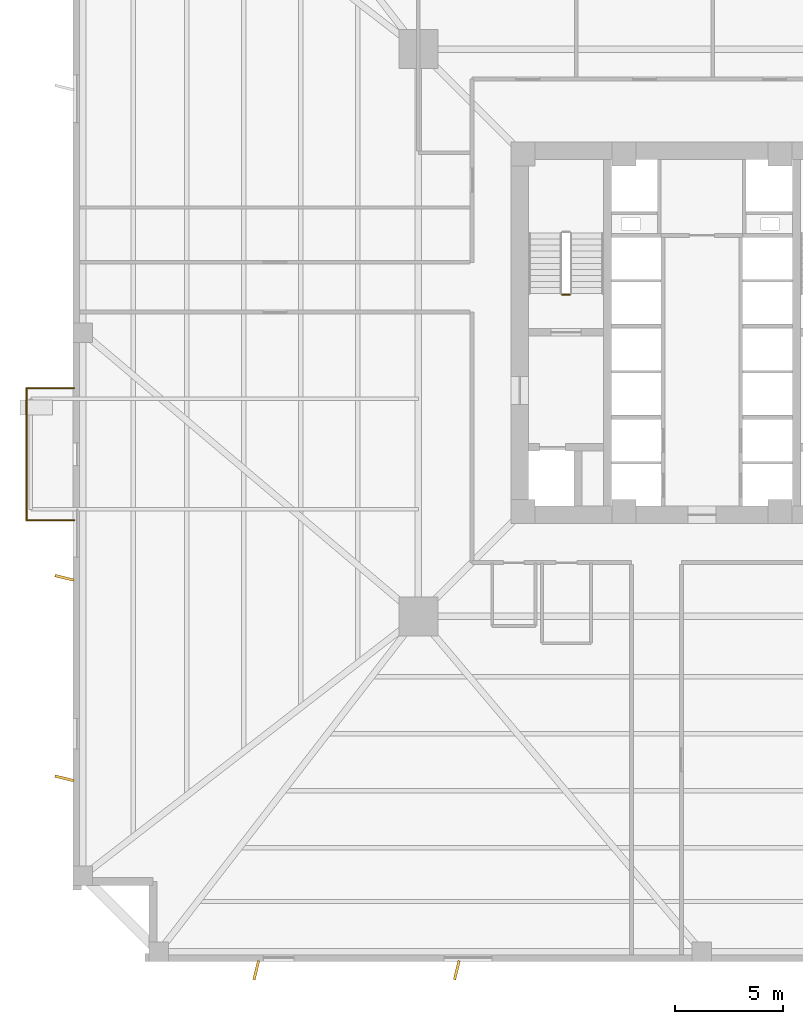
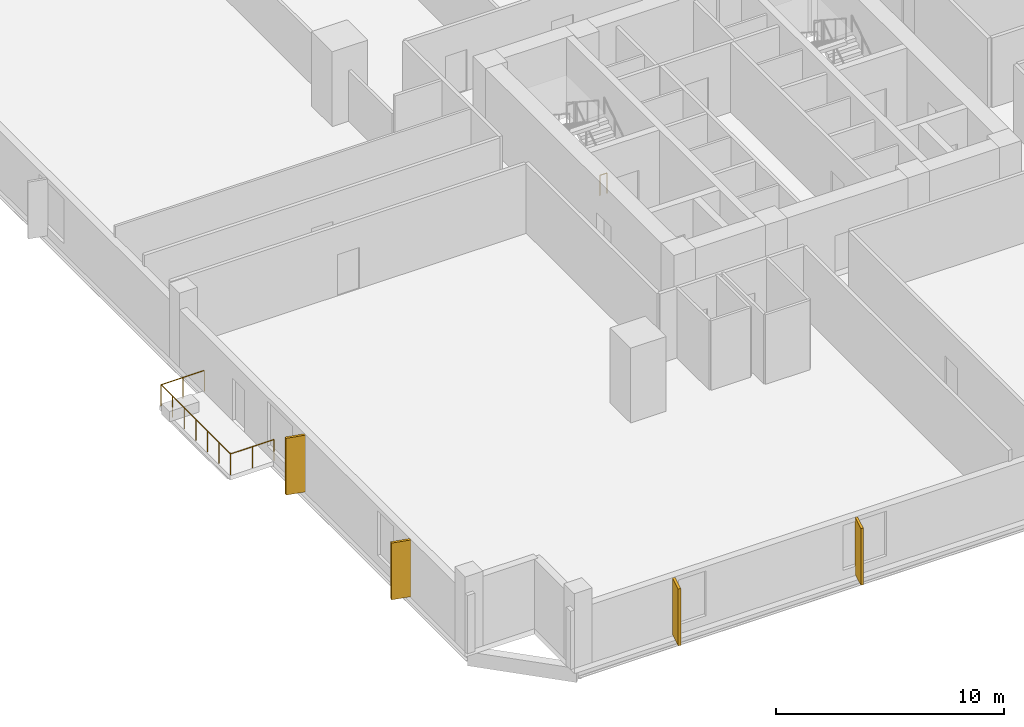
# One storey, part 5 of 8: 4 coverings, 4 railings.
"""IFC4 building model written with IfcOpenShell, lengths in metres."""

import ifcopenshell
import ifcopenshell.guid

model = None  # the IFC model being written
_history = None  # IfcOwnerHistory: only IFC2X3 demands one
_inside = {}  # id of a spatial element -> (the spatial element, [elements in it])
_under = {}  # id of a project, library or spatial element -> (it, [spatial elements below it])
_declared = {}  # id of a project -> (the project, [libraries it declares])
_typed = {}  # id of a type object -> (the type object, [elements of that type])
_made_of = {}  # id of a material, layer set ... -> (it, [elements and type objects made of it])


def new_model(schema):
    """Start an empty IFC model of exactly this schema.

    Asked for "IFC4X3", IfcOpenShell would pick the latest addendum, in which some entities
    have other attributes; the version numbers below select the first issue.
    IFC2X3 requires an IfcOwnerHistory on every rooted entity: one is made here for all.
    """
    global model, _history
    if schema == "IFC4X3":
        model = ifcopenshell.file(schema_version=(4, 3, 0, 0))
    else:
        model = ifcopenshell.file(schema=schema)
    _inside.clear()
    _under.clear()
    _declared.clear()
    _typed.clear()
    _made_of.clear()
    _history = None
    if model.schema == "IFC2X3":
        org = make("IfcOrganization", Name="unknown")
        user = make(
            "IfcPersonAndOrganization",
            ThePerson=make("IfcPerson", FamilyName="unknown"),
            TheOrganization=org,
        )
        app = make(
            "IfcApplication",
            ApplicationDeveloper=org,
            Version="unknown",
            ApplicationFullName="unknown",
            ApplicationIdentifier="unknown",
        )
        _history = make(
            "IfcOwnerHistory",
            OwningUser=user,
            OwningApplication=app,
            ChangeAction="ADDED",
            CreationDate=0,
        )
    return model


def make(cls, **values):
    """One entity of the class cls with the attributes given. An attribute that is None is left unset."""
    return model.create_entity(
        cls, **{name: value for name, value in values.items() if value is not None}
    )


def rooted(cls, **values):
    """An entity with a GlobalId (a new one), such as an element, a storey or a relation."""
    return make(cls, GlobalId=ifcopenshell.guid.new(), OwnerHistory=_history, **values)


def si_unit(unit_type, name, prefix=None):
    """IfcSIUnit, for example si_unit("LENGTHUNIT", "METRE", prefix="MILLI")."""
    return make("IfcSIUnit", UnitType=unit_type, Prefix=prefix, Name=name)


def assignment(units):
    """IfcUnitAssignment: the units of a project."""
    return None if units is None else make("IfcUnitAssignment", Units=units)


def point(xyz):
    """IfcCartesianPoint."""
    return None if xyz is None else make("IfcCartesianPoint", Coordinates=xyz)


def direction(xyz):
    """IfcDirection."""
    return None if xyz is None else make("IfcDirection", DirectionRatios=xyz)


def frame(location, z_axis=None, x_axis=None):
    """IfcAxis2Placement3D, a coordinate frame: its origin and axes. An axis left out is left unset."""
    return make(
        "IfcAxis2Placement3D",
        Location=point(location),
        Axis=direction(z_axis),
        RefDirection=direction(x_axis),
    )


def frame_2d(location, x_axis=None):
    """IfcAxis2Placement2D, a coordinate frame in the plane: its origin and x axis."""
    return make(
        "IfcAxis2Placement2D", Location=point(location), RefDirection=direction(x_axis)
    )


def origin():
    """The frame at (0, 0, 0) with its axes left unset."""
    return frame((0.0, 0.0, 0.0))


def origin_2d():
    """The frame at (0, 0) in the plane with its x axis left unset."""
    return frame_2d((0.0, 0.0))


def place(relative_to, where):
    """IfcLocalPlacement: puts the frame where relative to a parent placement (None: the world)."""
    return make(
        "IfcLocalPlacement", PlacementRelTo=relative_to, RelativePlacement=where
    )


def context(
    kind, dimensions, precision=None, world=None, true_north=None, identifier=None
):
    """IfcGeometricRepresentationContext, for example the 3D "Model" context."""
    return make(
        "IfcGeometricRepresentationContext",
        ContextIdentifier=identifier,
        ContextType=kind,
        CoordinateSpaceDimension=dimensions,
        Precision=precision,
        WorldCoordinateSystem=world,
        TrueNorth=true_north,
    )


def subcontext(parent, identifier, kind, view, scale=None):
    """IfcGeometricRepresentationSubContext, for example "Body" below "Model"."""
    return make(
        "IfcGeometricRepresentationSubContext",
        ContextIdentifier=identifier,
        ContextType=kind,
        ParentContext=parent,
        TargetScale=scale,
        TargetView=view,
    )


def project(units=None, contexts=None):
    """IfcProject with its units and contexts."""
    return rooted(
        "IfcProject",
        Name="project",
        RepresentationContexts=contexts,
        UnitsInContext=assignment(units),
    )


def spatial(cls, under=None, at=None, **own):
    """A site, building, storey or space (cls), placed at a placement, below another one or the project."""
    s = rooted(cls, ObjectPlacement=at, **own)
    if under is not None:
        _under.setdefault(under.id(), (under, []))[1].append(s)
    return s


def profile(cls, at=None, kind="AREA", **sizes):
    """A parametric profile (cls). Its sizes go by their IFC names, for example OverallWidth=200.0."""
    return make(cls, ProfileType=kind, Position=at, **sizes)


def rectangle(**sizes):
    """IfcRectangleProfileDef."""
    return profile("IfcRectangleProfileDef", **sizes)


def circle(**sizes):
    """IfcCircleProfileDef."""
    return profile("IfcCircleProfileDef", **sizes)


def extrude(swept, where, along, depth):
    """IfcExtrudedAreaSolid: the profile swept, set in the frame where, extruded along a direction by depth."""
    return make(
        "IfcExtrudedAreaSolid",
        SweptArea=swept,
        Position=where,
        ExtrudedDirection=direction(along),
        Depth=depth,
    )


def shape(context_of_items, identifier, shape_type, items):
    """IfcShapeRepresentation: the items that make up one representation, for example the "Body"."""
    return make(
        "IfcShapeRepresentation",
        ContextOfItems=context_of_items,
        RepresentationIdentifier=identifier,
        RepresentationType=shape_type,
        Items=items,
    )


def source(mapping_origin, context_of_items, identifier, shape_type, items):
    """IfcRepresentationMap: a shape defined once, which mapped items show again and again."""
    return make(
        "IfcRepresentationMap",
        MappingOrigin=mapping_origin,
        MappedRepresentation=shape(context_of_items, identifier, shape_type, items),
    )


def transform(
    local_origin,
    x_axis=None,
    y_axis=None,
    z_axis=None,
    scale=None,
    scale2=None,
    scale3=None,
    uniform=True,
):
    """IfcCartesianTransformationOperator3D, or its non-uniform kind. x_axis, y_axis, z_axis: its Axis1, 2, 3."""
    if uniform:
        return make(
            "IfcCartesianTransformationOperator3D",
            Axis1=direction(x_axis),
            Axis2=direction(y_axis),
            LocalOrigin=point(local_origin),
            Scale=scale,
            Axis3=direction(z_axis),
        )
    return make(
        "IfcCartesianTransformationOperator3DnonUniform",
        Axis1=direction(x_axis),
        Axis2=direction(y_axis),
        LocalOrigin=point(local_origin),
        Scale=scale,
        Axis3=direction(z_axis),
        Scale2=scale2,
        Scale3=scale3,
    )


def mapped(mapping_source, mapping_target):
    """IfcMappedItem: shows the shape of a source again, moved by a transform."""
    return make(
        "IfcMappedItem", MappingSource=mapping_source, MappingTarget=mapping_target
    )


def material(Name=None, Category=None):
    """IfcMaterial."""
    return make("IfcMaterial", Name=Name, Category=Category)


def layer(
    of_material, thickness, ventilated=None, Name=None, Category=None, Priority=None
):
    """IfcMaterialLayer: one layer of a wall or slab, of a material (None: an air gap)."""
    return make(
        "IfcMaterialLayer",
        Material=of_material,
        LayerThickness=thickness,
        IsVentilated=ventilated,
        Name=Name,
        Category=Category,
        Priority=Priority,
    )


def layer_set(layers, Name=None):
    """IfcMaterialLayerSet."""
    return make("IfcMaterialLayerSet", MaterialLayers=layers, LayerSetName=Name)


def made_of(thing, what):
    """Note that an element or type object is made of a material, layer set ...; save() writes the relation."""
    if what is not None:
        _made_of.setdefault(what.id(), (what, []))[1].append(thing)
    return thing


def type_object(cls, material=None, **own):
    """A type object (cls), such as IfcWallType, which elements share."""
    return made_of(rooted(cls, **own), material)


def element(
    cls,
    number,
    at=None,
    inside=None,
    cuts=None,
    type_object=None,
    material=None,
    context=None,
    identifier="Body",
    shape_type=None,
    held_by="IfcProductDefinitionShape",
    body=None,
    shapes=None,
    **own,
):
    """One element of the class cls, such as IfcWall. Its Tag is "e" and its number.

    at: its placement. inside: the storey or other place that contains it. cuts: it is an
    opening in that element (IfcRelVoidsElement). A single representation is given by context,
    identifier, shape_type and body (its items); several are given by shapes. held_by: the class
    of the entity that holds the representations. save() writes the other relations.
    """
    e = rooted(cls, Tag="e%d" % number, ObjectPlacement=at, **own)
    if body is not None:
        shapes = [shape(context, identifier, shape_type, body)]
    if shapes is not None:
        e.Representation = make(held_by, Representations=shapes)
    if inside is not None:
        _inside.setdefault(inside.id(), (inside, []))[1].append(e)
    if cuts is not None:
        rooted(
            "IfcRelVoidsElement", RelatingBuildingElement=cuts, RelatedOpeningElement=e
        )
    if type_object is not None:
        _typed.setdefault(type_object.id(), (type_object, []))[1].append(e)
    return made_of(e, material)


def aggregate(whole, parts):
    """IfcRelAggregates: a whole, such as a stair, and the parts it consists of."""
    return rooted("IfcRelAggregates", RelatingObject=whole, RelatedObjects=parts)


def save(model, path):
    """Write the relations noted so far, then the file.

    IfcRelAggregates (storeys below a building ...), IfcRelContainedInSpatialStructure (elements
    in a storey), IfcRelDefinesByType, IfcRelAssociatesMaterial and IfcRelDeclares: one each for
    every whole, place, type object, material and project.
    """
    for whole, parts in _under.values():
        aggregate(whole, parts)
    for where, things in _inside.values():
        rooted(
            "IfcRelContainedInSpatialStructure",
            RelatedElements=things,
            RelatingStructure=where,
        )
    for kind, things in _typed.values():
        rooted("IfcRelDefinesByType", RelatedObjects=things, RelatingType=kind)
    for what, things in _made_of.values():
        rooted("IfcRelAssociatesMaterial", RelatedObjects=things, RelatingMaterial=what)
    for by, libraries in _declared.values():
        rooted("IfcRelDeclares", RelatingContext=by, RelatedDefinitions=libraries)
    model.write(path)


model = new_model("IFC4")

# Units and contexts
model_context = context("Model", 3, precision=1e-05, world=origin(), true_north=direction((0.0, 1.0)))
body_context = subcontext(model_context, "Body", "Model", "MODEL_VIEW")
ifc_project = project(units=[si_unit("LENGTHUNIT", "METRE"), si_unit("AREAUNIT", "SQUARE_METRE"), si_unit("VOLUMEUNIT", "CUBIC_METRE"), si_unit("PLANEANGLEUNIT", "RADIAN"), si_unit("MASSUNIT", "GRAM", prefix="KILO"), si_unit("THERMODYNAMICTEMPERATUREUNIT", "KELVIN")], contexts=[model_context])

# Site, building, storey
site_placement = place(None, origin())
site = spatial("IfcSite", under=ifc_project, at=site_placement, CompositionType="ELEMENT")
building_placement = place(site_placement, origin())
building = spatial("IfcBuilding", under=site, at=building_placement, Name="Kosmvard Interchange Tower", CompositionType="ELEMENT")
storey_placement = place(building_placement, frame((0.0, 0.0, 46.0)))
storey = spatial("IfcBuildingStorey", under=building, at=storey_placement, Name="L10", CompositionType="ELEMENT", Elevation=46.0)

# Coverings
ifc_material_1 = material(Name="Architectural anodised aluminium", Category="aluminium")
ifc_layer = layer(ifc_material_1, 0.1201171875, Name="Architectural anodised aluminium")
ifc_layer_set = layer_set([ifc_layer], Name="Architectural anodised aluminium")
covering_type = type_object("IfcCoveringType", Name="Rotating Vertical Sun-Breaker Fin 900x120 Aluminium", PredefinedType="CLADDING", material=ifc_layer_set)
shared_shape_1 = source(origin(), body_context, "Body", "SweptSolid", [
    extrude(rectangle(XDim=0.89990234375, YDim=0.1201171875, at=origin_2d()), origin(), (0.0, 0.0, 1.0), 3.0400390625),
])
for number, where, z_axis, x_axis, name in (
    (1, (-20.552001953125, -29.39990234375, 0.0400390625), (0.0, 0.0, 1.0), (-0.237685892326, -0.971342069813, 0.0), "L10 Rotating Vertical Sun-Breaker Fin 01"),
    (2, (-11.3037109375, -29.39990234375, 0.0400390625), (0.0, 0.0, 1.0), (-0.237685892326, -0.971342069813, 0.0), "L10 Rotating Vertical Sun-Breaker Fin 02"),
    (3, (-29.39990234375, -11.3037109375, 0.0400390625), (0.0, 0.0, 1.0), (-0.971342069813, 0.237685892326, 0.0), "L10 Rotating Vertical Sun-Breaker Fin 15"),
    (4, (-29.39990234375, -20.552001953125, 0.0400390625), (0.0, 0.0, 1.0), (-0.971342069813, 0.237685892326, 0.0), "L10 Rotating Vertical Sun-Breaker Fin 16"),
):
    element("IfcCovering", number, at=place(storey_placement, frame(where, z_axis=z_axis, x_axis=x_axis)), inside=storey, type_object=covering_type, Name=name, PredefinedType="CLADDING", context=body_context, shape_type="MappedRepresentation", body=[
        mapped(shared_shape_1, transform((0.0, 0.0, 0.0), scale=1.0)),
    ])

# Railings
ifc_material_2 = material(Name="Steel S355", Category="steel")
railing_type_1 = type_object("IfcRailingType", Name="Observation & Balcony Glass-Infill Balustrade 1150", PredefinedType="BALUSTRADE", material=ifc_material_2)
shared_shape_2 = source(origin(), body_context, "Body", "SweptSolid", [
    extrude(circle(Radius=0.02392578125, at=origin_2d()), frame((0.0, 0.0, 1.1259765625), z_axis=(1.0, 0.0, 0.0), x_axis=(0.0, 1.0, 0.0)), (0.0, 0.0, 1.0), 2.199951171875),
    extrude(circle(Radius=0.02099609375, at=origin_2d()), origin(), (0.0, 0.0, 1.0), 1.101806640625),
    extrude(circle(Radius=0.02099609375, at=origin_2d()), frame((1.10009765625, 0.0, 0.0)), (0.0, 0.0, 1.0), 1.101806640625),
    extrude(circle(Radius=0.02099609375, at=origin_2d()), frame((2.199951171875, 0.0, 0.0)), (0.0, 0.0, 1.0), 1.101806640625),
])
railing_1_placement = place(storey_placement, frame((-31.14990234375, -8.64990234375, 0.0)))
element("IfcRailing", 5, at=railing_1_placement, inside=storey, type_object=railing_type_1, Name="L10 Outdoor Terrace Guard BAL-L10-W-C", PredefinedType="BALUSTRADE", context=body_context, shape_type="MappedRepresentation", body=[
    mapped(shared_shape_2, transform((0.0, 0.0, 0.0), scale=1.0)),
])
shared_shape_3 = source(origin(), body_context, "Body", "SweptSolid", [
    extrude(circle(Radius=0.02392578125, at=origin_2d()), frame((0.0, 0.0, 1.1259765625), z_axis=(-1.0, 0.0, 0.0), x_axis=(0.0, -1.0, 0.0)), (0.0, 0.0, 1.0), 2.199951171875),
    extrude(circle(Radius=0.02099609375, at=origin_2d()), origin(), (0.0, 0.0, 1.0), 1.101806640625),
    extrude(circle(Radius=0.02099609375, at=origin_2d()), frame((-1.10009765625, 0.0, 0.0)), (0.0, 0.0, 1.0), 1.101806640625),
    extrude(circle(Radius=0.02099609375, at=origin_2d()), frame((-2.199951171875, 0.0, 0.0)), (0.0, 0.0, 1.0), 1.101806640625),
])
railing_2_placement = place(storey_placement, frame((-28.949951171875, -2.550048828125, 0.0)))
element("IfcRailing", 6, at=railing_2_placement, inside=storey, type_object=railing_type_1, Name="L10 Outdoor Terrace Guard BAL-L10-W-A", PredefinedType="BALUSTRADE", context=body_context, shape_type="MappedRepresentation", body=[
    mapped(shared_shape_3, transform((0.0, 0.0, 0.0), scale=1.0)),
])
shared_shape_4 = source(origin(), body_context, "Body", "SweptSolid", [
    extrude(circle(Radius=0.02392578125, at=origin_2d()), frame((0.0, 0.0, 1.1259765625), z_axis=(0.0, -1.0, 0.0), x_axis=(1.0, 0.0, 0.0)), (0.0, 0.0, 1.0), 6.099853515625),
    extrude(circle(Radius=0.02099609375, at=origin_2d()), origin(), (0.0, 0.0, 1.0), 1.101806640625),
    extrude(circle(Radius=0.02099609375, at=origin_2d()), frame((0.0, -1.0166015625, 0.0)), (0.0, 0.0, 1.0), 1.101806640625),
    extrude(circle(Radius=0.02099609375, at=origin_2d()), frame((0.0, -2.033203125, 0.0)), (0.0, 0.0, 1.0), 1.101806640625),
    extrude(circle(Radius=0.02099609375, at=origin_2d()), frame((0.0, -3.0498046875, 0.0)), (0.0, 0.0, 1.0), 1.101806640625),
    extrude(circle(Radius=0.02099609375, at=origin_2d()), frame((0.0, -4.066650390625, 0.0)), (0.0, 0.0, 1.0), 1.101806640625),
    extrude(circle(Radius=0.02099609375, at=origin_2d()), frame((0.0, -5.083251953125, 0.0)), (0.0, 0.0, 1.0), 1.101806640625),
    extrude(circle(Radius=0.02099609375, at=origin_2d()), frame((0.0, -6.099853515625, 0.0)), (0.0, 0.0, 1.0), 1.101806640625),
])
railing_3_placement = place(storey_placement, frame((-31.14990234375, -2.550048828125, 0.0)))
element("IfcRailing", 7, at=railing_3_placement, inside=storey, type_object=railing_type_1, Name="L10 Outdoor Terrace Guard BAL-L10-W-B", PredefinedType="BALUSTRADE", context=body_context, shape_type="MappedRepresentation", body=[
    mapped(shared_shape_4, transform((0.0, 0.0, 0.0), scale=1.0)),
])
railing_type_2 = type_object("IfcRailingType", Name="Stair & Terrace Safety Guardrail 1100 Steel", PredefinedType="GUARDRAIL", material=ifc_material_2)
shared_shape_5 = source(origin(), body_context, "Body", "SweptSolid", [
    extrude(circle(Radius=0.02392578125, at=origin_2d()), frame((0.0, 0.0, 1.076171875), z_axis=(-1.0, 0.0, 0.0), x_axis=(0.0, -1.0, 0.0)), (0.0, 0.0, 1.0), 0.35986328125),
    extrude(circle(Radius=0.02099609375, at=origin_2d()), origin(), (0.0, 0.0, 1.0), 1.052001953125),
    extrude(circle(Radius=0.02099609375, at=origin_2d()), frame((-0.35986328125, 0.0, 0.0)), (0.0, 0.0, 1.0), 1.052001953125),
])
railing_4_placement = place(storey_placement, frame((-6.090087890625, 1.75, 0.0)))
element("IfcRailing", 8, at=railing_4_placement, inside=storey, type_object=railing_type_2, Name="L10 ST-1 stair guard 4", PredefinedType="GUARDRAIL", context=body_context, shape_type="MappedRepresentation", body=[
    mapped(shared_shape_5, transform((0.0, 0.0, 0.0), scale=1.0)),
])

save(model, "model.ifc")
